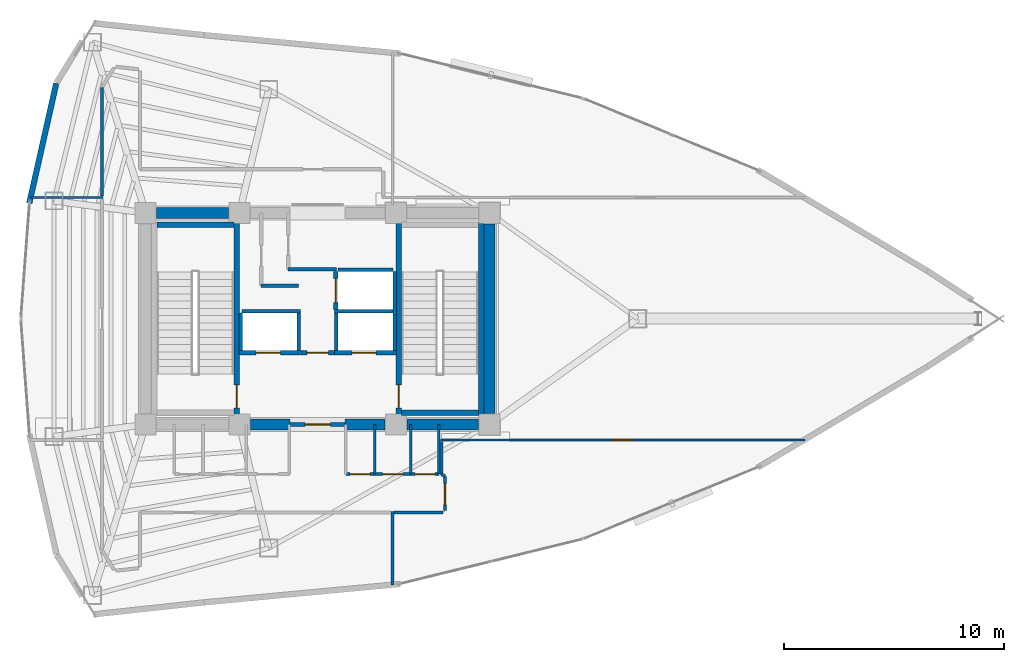
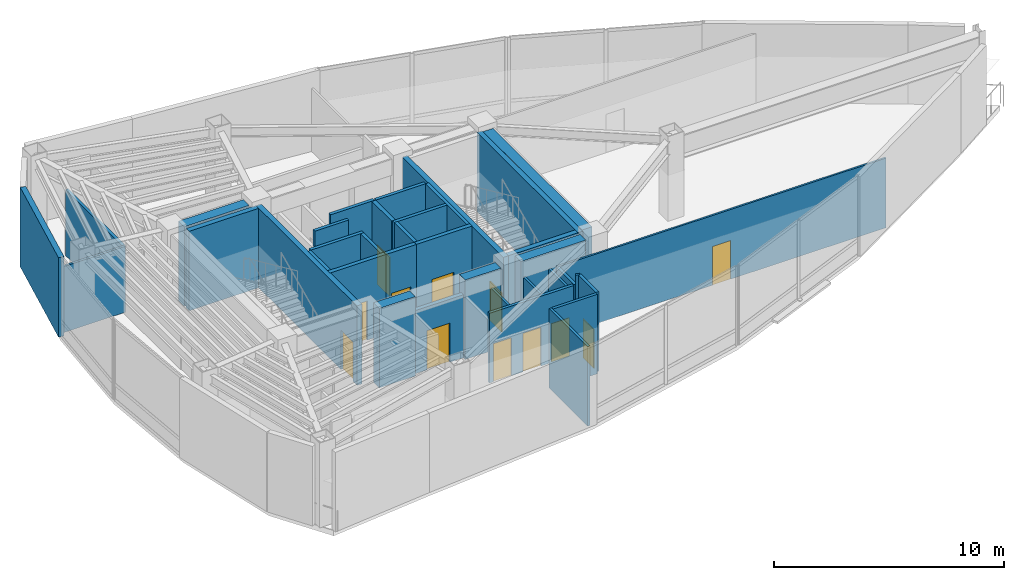
# One storey, part 14 of 17: 37 walls, 12 doors, 12 openings.
"""IFC4 building model written with IfcOpenShell, lengths in metres."""

from ifc_helpers import new_model, si_unit, direction, frame, frame_2d, origin, place, context, subcontext, project, spatial, rectangle, extrude, material, layer, layer_set, type_object, element, fill, save


model = new_model("IFC4")

# Units and contexts
model_context = context("Model", 3, precision=1e-05, world=origin(), true_north=direction((0.0, 1.0)))
body_context = subcontext(model_context, "Body", "Model", "MODEL_VIEW")
ifc_project = project(units=[si_unit("LENGTHUNIT", "METRE"), si_unit("AREAUNIT", "SQUARE_METRE"), si_unit("VOLUMEUNIT", "CUBIC_METRE"), si_unit("PLANEANGLEUNIT", "RADIAN"), si_unit("MASSUNIT", "GRAM", prefix="KILO")], contexts=[model_context])

# Site, building, storey
site_placement = place(None, origin())
site = spatial("IfcSite", under=ifc_project, at=site_placement, CompositionType="ELEMENT")
building_placement = place(site_placement, origin())
building = spatial("IfcBuilding", under=site, at=building_placement, Name="Menara Vayukalpa", CompositionType="ELEMENT")
storey_placement = place(building_placement, frame((0.0, 0.0, 238.139892578125)))
storey = spatial("IfcBuildingStorey", under=building, at=storey_placement, Name="L60", CompositionType="ELEMENT", Elevation=238.139892578125)

# Walls
ifc_material_1 = material(Name="Concrete C60/75", Category="concrete")
ifc_layer_1 = layer(ifc_material_1, 0.5)
ifc_layer_set_1 = layer_set([ifc_layer_1], Name="Concrete C60/75")
wall_type_1 = type_object("IfcWallType", Name="WAL-CW500", PredefinedType="SHEAR", material=ifc_layer_set_1)
wall_1_placement = place(storey_placement, frame((22.544921875, 17.199951171875, 0.0), z_axis=(0.0, 0.0, 1.0), x_axis=(1.0, 0.0, 0.0)))
element("IfcWall", 1, at=wall_1_placement, inside=storey, type_object=wall_type_1, Name="L60 Buttressed Core Shear Wall CWS2", PredefinedType="SHEAR", context=body_context, shape_type="SweptSolid", body=[
    extrude(rectangle(XDim=1.80517578125, YDim=0.5, at=frame_2d((0.902587890625, 0.0))), origin(), (0.0, 0.0, 1.0), 4.22021484375),
])
wall_2_placement = place(storey_placement, frame((26.85009765625, 17.199951171875, 0.0), z_axis=(0.0, 0.0, 1.0), x_axis=(1.0, 0.0, 0.0)))
element("IfcWall", 2, at=wall_2_placement, inside=storey, type_object=wall_type_1, Name="L60 Buttressed Core Shear Wall CWS3", PredefinedType="SHEAR", context=body_context, shape_type="SweptSolid", body=[
    extrude(rectangle(XDim=1.804931640625, YDim=0.5, at=frame_2d((0.90234375, 0.0))), origin(), (0.0, 0.0, 1.0), 4.22021484375),
])
for number, where, z_axis, x_axis, name in (
    (3, (29.64501953125, 17.199951171875, 0.0), (0.0, 0.0, 1.0), (1.0, 0.0, 0.0), "L60 Buttressed Core Shear Wall CWS4"),
    (4, (18.294921875, 26.800048828125, 0.0), (0.0, 0.0, 1.0), (1.0, 0.0, 0.0), "L60 Buttressed Core Shear Wall CWN1"),
):
    element("IfcWall", number, at=place(storey_placement, frame(where, z_axis=z_axis, x_axis=x_axis)), inside=storey, type_object=wall_type_1, Name=name, PredefinedType="SHEAR", context=body_context, shape_type="SweptSolid", body=[
        extrude(rectangle(XDim=3.260009765625, YDim=0.5, at=frame_2d((1.6298828125, 0.0))), origin(), (0.0, 0.0, 1.0), 4.22021484375),
    ])
wall_3_placement = place(storey_placement, frame((33.39990234375, 17.695068359375, 0.0), z_axis=(0.0, 0.0, 1.0), x_axis=(0.0, 1.0, 0.0)))
element("IfcWall", 5, at=wall_3_placement, inside=storey, type_object=wall_type_1, Name="L60 Buttressed Core Shear Wall CWE1", PredefinedType="SHEAR", context=body_context, shape_type="SweptSolid", body=[
    extrude(rectangle(XDim=8.60986328125, YDim=0.5, at=frame_2d((4.304931640625, 0.0))), origin(), (0.0, 0.0, 1.0), 4.22021484375),
])
ifc_material_2 = material(Name="Insulated Precast Concrete C40/50", Category="concrete")
ifc_layer_2 = layer(ifc_material_2, 0.260009765625)
ifc_layer_set_2 = layer_set([ifc_layer_2], Name="Insulated Precast Concrete C40/50")
wall_type_2 = type_object("IfcWallType", Name="WAL-EXT260", PredefinedType="PARTITIONING", material=ifc_layer_set_2)
wall_4_placement = place(storey_placement, frame((12.514892578125, 27.239501953125, 0.0), z_axis=(0.0, 0.0, 1.0), x_axis=(0.219510112872, 0.975610224601, 0.0)))
element("IfcWall", 6, at=wall_4_placement, inside=storey, type_object=wall_type_2, Name="L60 Perimeter Terracotta Pier Wall 09", PredefinedType="PARTITIONING", context=body_context, shape_type="SweptSolid", body=[
    extrude(rectangle(XDim=5.579833984375, YDim=0.260009765625, at=frame_2d((2.7900390625, 0.0))), origin(), (0.0, 0.0, 1.0), 4.22021484375),
])
ifc_material_3 = material(Name="Lightweight Concrete Blockwork C16/20", Category="masonry")
ifc_layer_3 = layer(ifc_material_3, 0.159912109375)
ifc_layer_set_3 = layer_set([ifc_layer_3], Name="Lightweight Concrete Blockwork C16/20")
wall_type_3 = type_object("IfcWallType", Name="WAL-FR150", PredefinedType="PARTITIONING", material=ifc_layer_set_3)
for number, where, z_axis, x_axis, name in (
    (7, (22.10498046875, 20.56005859375, 0.0), (0.0, 0.0, 1.0), (0.0, 1.0, 0.0), "L60 Interior Partition IW-L60-SHW-WW"),
    (8, (24.7548828125, 20.56005859375, 0.0), (0.0, 0.0, 1.0), (0.0, 1.0, 0.0), "L60 Interior Partition IW-L60-SHW-W1E"),
):
    element("IfcWall", number, at=place(storey_placement, frame(where, z_axis=z_axis, x_axis=x_axis)), inside=storey, type_object=wall_type_3, Name=name, PredefinedType="PARTITIONING", context=body_context, shape_type="SweptSolid", body=[
        extrude(rectangle(XDim=1.7099609375, YDim=0.159912109375, at=frame_2d((0.85498046875, 0.0))), origin(), (0.0, 0.0, 1.0), 4.22021484375),
    ])
wall_5_placement = place(storey_placement, frame((22.179931640625, 22.344970703125, 0.0), z_axis=(0.0, 0.0, 1.0), x_axis=(1.0, 0.0, 0.0)))
element("IfcWall", 9, at=wall_5_placement, inside=storey, type_object=wall_type_3, Name="L60 Interior Partition IW-L60-SHM-W12", PredefinedType="PARTITIONING", context=body_context, shape_type="SweptSolid", body=[
    extrude(rectangle(XDim=2.650146484375, YDim=0.159912109375, at=frame_2d((1.3251953125, 0.0))), origin(), (0.0, 0.0, 1.0), 4.22021484375),
])
wall_6_placement = place(storey_placement, frame((29.094970703125, 20.56005859375, 0.0), z_axis=(0.0, 0.0, 1.0), x_axis=(0.0, 1.0, 0.0)))
element("IfcWall", 10, at=wall_6_placement, inside=storey, type_object=wall_type_3, Name="L60 Interior Partition IW-L60-SHW-EE", PredefinedType="PARTITIONING", context=body_context, shape_type="SweptSolid", body=[
    extrude(rectangle(XDim=3.579833984375, YDim=0.159912109375, at=frame_2d((1.7900390625, 0.0))), origin(), (0.0, 0.0, 1.0), 4.22021484375),
])
wall_7_placement = place(storey_placement, frame((26.445068359375, 20.56005859375, 0.0), z_axis=(0.0, 0.0, 1.0), x_axis=(0.0, 1.0, 0.0)))
element("IfcWall", 11, at=wall_7_placement, inside=storey, type_object=wall_type_3, Name="L60 Interior Partition IW-L60-SHW-E1W", PredefinedType="PARTITIONING", context=body_context, shape_type="SweptSolid", body=[
    extrude(rectangle(XDim=1.7099609375, YDim=0.159912109375, at=frame_2d((0.85498046875, 0.0))), origin(), (0.0, 0.0, 1.0), 4.22021484375),
])
wall_8_placement = place(storey_placement, frame((26.3701171875, 22.344970703125, 0.0), z_axis=(0.0, 0.0, 1.0), x_axis=(1.0, 0.0, 0.0)))
element("IfcWall", 12, at=wall_8_placement, inside=storey, type_object=wall_type_3, Name="L60 Interior Partition IW-L60-SHM-E13", PredefinedType="PARTITIONING", context=body_context, shape_type="SweptSolid", body=[
    extrude(rectangle(XDim=2.64990234375, YDim=0.159912109375, at=frame_2d((1.324951171875, 0.0))), origin(), (0.0, 0.0, 1.0), 4.22021484375),
])
wall_9_placement = place(storey_placement, frame((26.530029296875, 24.215087890625, 0.0), z_axis=(0.0, 0.0, 1.0), x_axis=(1.0, 0.0, 0.0)))
element("IfcWall", 13, at=wall_9_placement, inside=storey, type_object=wall_type_3, Name="L60 Interior Partition IW-L60-SHM-E32", PredefinedType="PARTITIONING", context=body_context, shape_type="SweptSolid", body=[
    extrude(rectangle(XDim=2.489990234375, YDim=0.159912109375, at=frame_2d((1.2451171875, 0.0))), origin(), (0.0, 0.0, 1.0), 4.22021484375),
])
wall_10_placement = place(storey_placement, frame((23.0400390625, 23.5, 0.0), z_axis=(0.0, 0.0, 1.0), x_axis=(1.0, 0.0, 0.0)))
element("IfcWall", 14, at=wall_10_placement, inside=storey, type_object=wall_type_3, Name="L60 Interior Partition IW-L60-LV7WA", PredefinedType="PARTITIONING", context=body_context, shape_type="SweptSolid", body=[
    extrude(rectangle(XDim=1.699951171875, YDim=0.159912109375, at=frame_2d((0.85009765625, 0.0))), origin(), (0.0, 0.0, 1.0), 4.22021484375),
])
wall_11_placement = place(storey_placement, frame((24.260009765625, 24.239990234375, 0.0), z_axis=(0.0, 0.0, 1.0), x_axis=(1.0, 0.0, 0.0)))
element("IfcWall", 15, at=wall_11_placement, inside=storey, type_object=wall_type_3, Name="L60 Interior Partition IW-L60-LV7EA", PredefinedType="PARTITIONING", context=body_context, shape_type="SweptSolid", body=[
    extrude(rectangle(XDim=2.199951171875, YDim=0.159912109375, at=frame_2d((1.10009765625, 0.0))), origin(), (0.0, 0.0, 1.0), 4.22021484375),
])

# Wall, opening, door
ifc_material_4 = material(Name="Lightweight Concrete Blockwork C16/20", Category="masonry")
ifc_layer_4 = layer(ifc_material_4, 0.199951171875)
ifc_layer_set_4 = layer_set([ifc_layer_4], Name="Lightweight Concrete Blockwork C16/20")
wall_type_4 = type_object("IfcWallType", Name="WAL-FR200", PredefinedType="PARTITIONING", material=ifc_layer_set_4)
wall_12_placement = place(storey_placement, frame((24.35009765625, 17.199951171875, 0.0), z_axis=(0.0, 0.0, 1.0), x_axis=(1.0, 0.0, 0.0)))
wall_12 = element("IfcWall", 16, at=wall_12_placement, inside=storey, type_object=wall_type_4, Name="L60 Interior Partition IW-L60-FFLS", PredefinedType="PARTITIONING", context=body_context, shape_type="SweptSolid", body=[
    extrude(rectangle(XDim=2.5, YDim=0.199951171875, at=frame_2d((1.25, 0.0))), origin(), (0.0, 0.0, 1.0), 3.35009765625),
])
opening_1_placement = place(wall_12_placement, frame((0.679931640625, 0.0, 0.0)))
opening_1 = element("IfcOpeningElement", 17, at=opening_1_placement, cuts=wall_12, Name="Opening ID2", PredefinedType="OPENING", context=body_context, shape_type="SweptSolid", body=[
    extrude(rectangle(XDim=1.14990234375, YDim=2.080078125, at=frame_2d((0.574951171875, 1.0400390625))), frame((0.0, 0.10986328125, 0.0), z_axis=(0.0, -1.0, 0.0), x_axis=(1.0, 0.0, 0.0)), (0.0, 0.0, 1.0), 0.219970703125),
])
ifc_material_5 = material(Name="Fire-Rated Powder-Coated Steel Door", Category="steel")
door_type_1 = type_object("IfcDoorType", Name="DR-FD60W", OperationType="NOTDEFINED", PredefinedType="DOOR", material=ifc_material_5)
door_1_placement = place(opening_1_placement, origin())
door_1 = element("IfcDoor", 18, at=door_1_placement, inside=storey, type_object=door_type_1, Name="L60 Interior Door DR-L60-FFLS", OperationType="SINGLE_SWING_LEFT", OverallHeight=2.080078125, OverallWidth=1.14990234375, PredefinedType="DOOR", context=body_context, shape_type="SweptSolid", body=[
    extrude(rectangle(XDim=1.14990234375, YDim=2.080078125, at=frame_2d((0.574951171875, 1.0400390625))), frame((0.0, 0.02490234375, 0.0), z_axis=(0.0, -1.0, 0.0), x_axis=(1.0, 0.0, 0.0)), (0.0, 0.0, 1.0), 0.050048828125),
])
fill(opening_1, door_1)

wall_13_placement = place(storey_placement, frame((24.840087890625, 20.449951171875, 0.0), z_axis=(0.0, 0.0, 1.0), x_axis=(1.0, 0.0, 0.0)))
wall_13 = element("IfcWall", 19, at=wall_13_placement, inside=storey, type_object=wall_type_4, Name="L60 Interior Partition IW-L60-FFLN", PredefinedType="PARTITIONING", context=body_context, shape_type="SweptSolid", body=[
    extrude(rectangle(XDim=1.52001953125, YDim=0.199951171875, at=frame_2d((0.760009765625, 0.0))), origin(), (0.0, 0.0, 1.0), 4.22021484375),
])
opening_2_placement = place(wall_13_placement, frame((0.27001953125, 0.0, 0.0)))
opening_2 = element("IfcOpeningElement", 20, at=opening_2_placement, cuts=wall_13, Name="Opening ID3", PredefinedType="OPENING", context=body_context, shape_type="SweptSolid", body=[
    extrude(rectangle(XDim=0.97998046875, YDim=2.06005859375, at=frame_2d((0.489990234375, 1.030029296875))), frame((0.0, 0.10986328125, 0.0), z_axis=(0.0, -1.0, 0.0), x_axis=(1.0, 0.0, 0.0)), (0.0, 0.0, 1.0), 0.219970703125),
])
ifc_material_6 = material(Name="Fire-Rated Powder-Coated Steel Door", Category="steel")
door_type_2 = type_object("IfcDoorType", Name="DR-FD60", OperationType="NOTDEFINED", PredefinedType="DOOR", material=ifc_material_6)
door_2_placement = place(opening_2_placement, origin())
door_2 = element("IfcDoor", 21, at=door_2_placement, inside=storey, type_object=door_type_2, Name="L60 Interior Door DR-L60-FFLN", OperationType="SINGLE_SWING_RIGHT", OverallHeight=2.06005859375, OverallWidth=0.97998046875, PredefinedType="DOOR", context=body_context, shape_type="SweptSolid", body=[
    extrude(rectangle(XDim=0.97998046875, YDim=2.06005859375, at=frame_2d((0.489990234375, 1.030029296875))), frame((0.0, 0.02490234375, 0.0), z_axis=(0.0, -1.0, 0.0), x_axis=(1.0, 0.0, 0.0)), (0.0, 0.0, 1.0), 0.050048828125),
])
fill(opening_2, door_2)

wall_14_placement = place(storey_placement, frame((22.030029296875, 20.449951171875, 0.0), z_axis=(0.0, 0.0, 1.0), x_axis=(1.0, 0.0, 0.0)))
wall_14 = element("IfcWall", 22, at=wall_14_placement, inside=storey, type_object=wall_type_4, Name="L60 Interior Partition IW-L60-SH-W1", PredefinedType="PARTITIONING", context=body_context, shape_type="SweptSolid", body=[
    extrude(rectangle(XDim=2.800048828125, YDim=0.199951171875, at=frame_2d((1.39990234375, 0.0))), origin(), (0.0, 0.0, 1.0), 4.22021484375),
])
opening_3_placement = place(wall_14_placement, frame((0.780029296875, 0.0, 0.0)))
opening_3 = element("IfcOpeningElement", 23, at=opening_3_placement, cuts=wall_14, Name="Opening LD1", PredefinedType="OPENING", context=body_context, shape_type="SweptSolid", body=[
    extrude(rectangle(XDim=1.10009765625, YDim=2.080078125, at=frame_2d((0.550048828125, 1.0400390625))), frame((0.0, 0.10986328125, 0.0), z_axis=(0.0, -1.0, 0.0), x_axis=(1.0, 0.0, 0.0)), (0.0, 0.0, 1.0), 0.219970703125),
])
ifc_material_7 = material(Name="Brushed Stainless Steel 316 Lift Door", Category="steel")
door_type_3 = type_object("IfcDoorType", Name="DR-LD110", OperationType="NOTDEFINED", PredefinedType="DOOR", material=ifc_material_7)
door_3_placement = place(opening_3_placement, origin())
door_3 = element("IfcDoor", 24, at=door_3_placement, inside=storey, type_object=door_type_3, Name="L60 Interior Door DR-L60-LD-W1", OperationType="DOUBLE_DOOR_SLIDING", OverallHeight=2.080078125, OverallWidth=1.10009765625, PredefinedType="DOOR", context=body_context, shape_type="SweptSolid", body=[
    extrude(rectangle(XDim=1.10009765625, YDim=2.080078125, at=frame_2d((0.550048828125, 1.0400390625))), frame((0.0, 0.02490234375, 0.0), z_axis=(0.0, -1.0, 0.0), x_axis=(1.0, 0.0, 0.0)), (0.0, 0.0, 1.0), 0.050048828125),
])
fill(opening_3, door_3)

wall_15_placement = place(storey_placement, frame((26.3701171875, 20.449951171875, 0.0), z_axis=(0.0, 0.0, 1.0), x_axis=(1.0, 0.0, 0.0)))
wall_15 = element("IfcWall", 25, at=wall_15_placement, inside=storey, type_object=wall_type_4, Name="L60 Interior Partition IW-L60-SH-E1", PredefinedType="PARTITIONING", context=body_context, shape_type="SweptSolid", body=[
    extrude(rectangle(XDim=2.7998046875, YDim=0.199951171875, at=frame_2d((1.39990234375, 0.0))), origin(), (0.0, 0.0, 1.0), 4.22021484375),
])
opening_4_placement = place(wall_15_placement, frame((0.780029296875, 0.0, 0.0)))
opening_4 = element("IfcOpeningElement", 26, at=opening_4_placement, cuts=wall_15, Name="Opening LD1", PredefinedType="OPENING", context=body_context, shape_type="SweptSolid", body=[
    extrude(rectangle(XDim=1.10009765625, YDim=2.080078125, at=frame_2d((0.550048828125, 1.0400390625))), frame((0.0, 0.10986328125, 0.0), z_axis=(0.0, -1.0, 0.0), x_axis=(1.0, 0.0, 0.0)), (0.0, 0.0, 1.0), 0.219970703125),
])
door_4_placement = place(opening_4_placement, origin())
door_4 = element("IfcDoor", 27, at=door_4_placement, inside=storey, type_object=door_type_3, Name="L60 Interior Door DR-L60-LD-E1", OperationType="DOUBLE_DOOR_SLIDING", OverallHeight=2.080078125, OverallWidth=1.10009765625, PredefinedType="DOOR", context=body_context, shape_type="SweptSolid", body=[
    extrude(rectangle(XDim=1.10009765625, YDim=2.080078125, at=frame_2d((0.550048828125, 1.0400390625))), frame((0.0, 0.02490234375, 0.0), z_axis=(0.0, -1.0, 0.0), x_axis=(1.0, 0.0, 0.0)), (0.0, 0.0, 1.0), 0.050048828125),
])
fill(opening_4, door_4)

wall_16_placement = place(storey_placement, frame((26.419921875, 22.419921875, 0.0), z_axis=(0.0, 0.0, 1.0), x_axis=(0.0, 1.0, 0.0)))
wall_16 = element("IfcWall", 28, at=wall_16_placement, inside=storey, type_object=wall_type_4, Name="L60 Interior Partition IW-L60-SH-E3", PredefinedType="PARTITIONING", context=body_context, shape_type="SweptSolid", body=[
    extrude(rectangle(XDim=1.719970703125, YDim=0.199951171875, at=frame_2d((0.85986328125, 0.0))), origin(), (0.0, 0.0, 1.0), 4.22021484375),
])
opening_5_placement = place(wall_16_placement, frame((0.31005859375, 0.0, 0.0)))
opening_5 = element("IfcOpeningElement", 29, at=opening_5_placement, cuts=wall_16, Name="Opening LD1", PredefinedType="OPENING", context=body_context, shape_type="SweptSolid", body=[
    extrude(rectangle(XDim=1.10009765625, YDim=2.080078125, at=frame_2d((0.550048828125, 1.0400390625))), frame((0.0, 0.10986328125, 0.0), z_axis=(0.0, -1.0, 0.0), x_axis=(1.0, 0.0, 0.0)), (0.0, 0.0, 1.0), 0.219970703125),
])
door_5_placement = place(opening_5_placement, origin())
door_5 = element("IfcDoor", 30, at=door_5_placement, inside=storey, type_object=door_type_3, Name="L60 Interior Door DR-L60-LD-E3", OperationType="DOUBLE_DOOR_SLIDING", OverallHeight=2.080078125, OverallWidth=1.10009765625, PredefinedType="DOOR", context=body_context, shape_type="SweptSolid", body=[
    extrude(rectangle(XDim=1.10009765625, YDim=2.080078125, at=frame_2d((0.550048828125, 1.0400390625))), frame((0.0, 0.02490234375, 0.0), z_axis=(0.0, -1.0, 0.0), x_axis=(1.0, 0.0, 0.0)), (0.0, 0.0, 1.0), 0.050048828125),
])
fill(opening_5, door_5)

ifc_material_8 = material(Name="Glazed Demountable Office Partition", Category="glass")
ifc_layer_5 = layer(ifc_material_8, 0.094970703125)
ifc_layer_set_5 = layer_set([ifc_layer_5], Name="Glazed Demountable Office Partition")
wall_type_5 = type_object("IfcWallType", Name="WAL-PT100", PredefinedType="PARTITIONING", material=ifc_layer_set_5)
wall_17_placement = place(storey_placement, frame((31.169921875, 16.5, 0.0), z_axis=(0.0, 0.0, 1.0), x_axis=(1.0, 0.0, 0.0)))
wall_17 = element("IfcWall", 31, at=wall_17_placement, inside=storey, type_object=wall_type_5, Name="L60 Interior Partition IW-L60-RDIV04", PredefinedType="PARTITIONING", context=body_context, shape_type="SweptSolid", body=[
    extrude(rectangle(XDim=16.5341796875, YDim=0.094970703125, at=frame_2d((8.26708984375, 0.0))), origin(), (0.0, 0.0, 1.0), 3.7001953125),
])
opening_6_placement = place(wall_17_placement, frame((7.80712890625, 0.0, 0.0)))
opening_6 = element("IfcOpeningElement", 32, at=opening_6_placement, cuts=wall_17, Name="Opening ID6", PredefinedType="OPENING", context=body_context, shape_type="SweptSolid", body=[
    extrude(rectangle(XDim=0.919921875, YDim=2.050048828125, at=frame_2d((0.4599609375, 1.02490234375))), frame((0.0, 0.057373046875, 0.0), z_axis=(0.0, -1.0, 0.0), x_axis=(1.0, 0.0, 0.0)), (0.0, 0.0, 1.0), 0.114990234375),
])
ifc_material_9 = material(Name="Acoustic Hardwood Veneer Timber Door", Category="wood")
door_type_4 = type_object("IfcDoorType", Name="DR-INT92", OperationType="NOTDEFINED", PredefinedType="DOOR", material=ifc_material_9)
door_6_placement = place(opening_6_placement, origin())
door_6 = element("IfcDoor", 33, at=door_6_placement, inside=storey, type_object=door_type_4, Name="L60 Interior Door DR-L60-STE04", OperationType="SINGLE_SWING_LEFT", OverallHeight=2.050048828125, OverallWidth=0.919921875, PredefinedType="DOOR", context=body_context, shape_type="SweptSolid", body=[
    extrude(rectangle(XDim=0.919921875, YDim=2.050048828125, at=frame_2d((0.4599609375, 1.02490234375))), frame((0.0, 0.02490234375, 0.0), z_axis=(0.0, -1.0, 0.0), x_axis=(1.0, 0.0, 0.0)), (0.0, 0.0, 1.0), 0.050048828125),
])
fill(opening_6, door_6)

# Walls
ifc_material_10 = material(Name="Acoustic Mineral Stud Partition", Category="masonry")
ifc_layer_6 = layer(ifc_material_10, 0.110107421875)
ifc_layer_set_6 = layer_set([ifc_layer_6], Name="Acoustic Mineral Stud Partition")
wall_type_6 = type_object("IfcWallType", Name="WAL-PT110", PredefinedType="PARTITIONING", material=ifc_layer_set_6)
wall_18_placement = place(storey_placement, frame((29.830078125, 14.949951171875, 0.0), z_axis=(0.0, 0.0, 1.0), x_axis=(0.0, 1.0, 0.0)))
element("IfcWall", 34, at=wall_18_placement, inside=storey, type_object=wall_type_6, Name="L60 Interior Partition IW-L60-SVCD-07", PredefinedType="PARTITIONING", context=body_context, shape_type="SweptSolid", body=[
    extrude(rectangle(XDim=2.25, YDim=0.110107421875, at=frame_2d((1.125, 0.0))), origin(), (0.0, 0.0, 1.0), 3.35009765625),
])
wall_19_placement = place(storey_placement, frame((12.563232421875, 27.5, 0.0), z_axis=(0.0, 0.0, 1.0), x_axis=(1.0, 0.0, 0.0)))
element("IfcWall", 35, at=wall_19_placement, inside=storey, type_object=wall_type_6, Name="L60 Interior Partition IW-L60-RDIV05", PredefinedType="PARTITIONING", context=body_context, shape_type="SweptSolid", body=[
    extrude(rectangle(XDim=3.306884765625, YDim=0.110107421875, at=frame_2d((1.6533203125, 0.0))), origin(), (0.0, 0.0, 1.0), 3.5),
])
ifc_material_11 = material(Name="Gypsum Drywall Steel Stud Assembly", Category="steel")
ifc_layer_7 = layer(ifc_material_11, 0.125)
ifc_layer_set_7 = layer_set([ifc_layer_7], Name="Gypsum Drywall Steel Stud Assembly")
wall_type_7 = type_object("IfcWallType", Name="WAL-PT125", PredefinedType="PARTITIONING", material=ifc_layer_set_7)
for number, where, z_axis, x_axis, name in (
    (36, (28.18994140625, 14.949951171875, 0.0), (0.0, 0.0, 1.0), (0.0, 1.0, 0.0), "L60 Interior Partition IW-L60-SVCD-06"),
    (37, (31.10009765625, 14.949951171875, 0.0), (0.0, 0.0, 1.0), (0.0, 1.0, 0.0), "L60 Interior Partition IW-L60-SVCD-08"),
):
    element("IfcWall", number, at=place(storey_placement, frame(where, z_axis=z_axis, x_axis=x_axis)), inside=storey, type_object=wall_type_7, Name=name, PredefinedType="PARTITIONING", context=body_context, shape_type="SweptSolid", body=[
        extrude(rectangle(XDim=2.25, YDim=0.125, at=frame_2d((1.125, 0.0))), origin(), (0.0, 0.0, 1.0), 3.35009765625),
    ])
wall_20_placement = place(storey_placement, frame((29.0, 9.91650390625, 0.0), z_axis=(0.0, 0.0, 1.0), x_axis=(0.0, 1.0, 0.0)))
element("IfcWall", 38, at=wall_20_placement, inside=storey, type_object=wall_type_7, Name="L60 Interior Partition IW-L60-RDIV01", PredefinedType="PARTITIONING", context=body_context, shape_type="SweptSolid", body=[
    extrude(rectangle(XDim=3.343505859375, YDim=0.125, at=frame_2d((1.671875, 0.0))), origin(), (0.0, 0.0, 1.0), 4.22021484375),
])

# Wall, openings, doors
ifc_material_12 = material(Name="Gypsum Drywall Acoustic Stud Assembly", Category="masonry")
ifc_layer_8 = layer(ifc_material_12, 0.14501953125)
ifc_layer_set_8 = layer_set([ifc_layer_8], Name="Gypsum Drywall Acoustic Stud Assembly")
wall_type_8 = type_object("IfcWallType", Name="WAL-PT150", PredefinedType="PARTITIONING", material=ifc_layer_set_8)
wall_21_placement = place(storey_placement, frame((26.8798828125, 14.949951171875, 0.0), z_axis=(0.0, 0.0, 1.0), x_axis=(1.0, 0.0, 0.0)))
wall_21 = element("IfcWall", 39, at=wall_21_placement, inside=storey, type_object=wall_type_8, Name="L60 Interior Partition IW-L60-SVCS-E", PredefinedType="PARTITIONING", context=body_context, shape_type="SweptSolid", body=[
    extrude(rectangle(XDim=4.22021484375, YDim=0.14501953125, at=frame_2d((2.110107421875, 0.0))), origin(), (0.0, 0.0, 1.0), 3.7001953125),
])
opening_7_placement = place(wall_21_placement, frame((0.199951171875, 0.0, 0.0)))
opening_7 = element("IfcOpeningElement", 40, at=opening_7_placement, cuts=wall_21, Name="Opening ID7", PredefinedType="OPENING", context=body_context, shape_type="SweptSolid", body=[
    extrude(rectangle(XDim=0.89990234375, YDim=2.02001953125, at=frame_2d((0.449951171875, 1.010009765625))), frame((0.0, 0.08251953125, 0.0), z_axis=(0.0, -1.0, 0.0), x_axis=(1.0, 0.0, 0.0)), (0.0, 0.0, 1.0), 0.1650390625),
])
opening_8_placement = place(wall_21_placement, frame((1.669921875, 0.0, 0.0)))
opening_8 = element("IfcOpeningElement", 41, at=opening_8_placement, cuts=wall_21, Name="Opening ID6", PredefinedType="OPENING", context=body_context, shape_type="SweptSolid", body=[
    extrude(rectangle(XDim=0.919921875, YDim=2.050048828125, at=frame_2d((0.4599609375, 1.02490234375))), frame((0.0, 0.08251953125, 0.0), z_axis=(0.0, -1.0, 0.0), x_axis=(1.0, 0.0, 0.0)), (0.0, 0.0, 1.0), 0.1650390625),
])
opening_9_placement = place(wall_21_placement, frame((3.139892578125, 0.0, 0.0)))
opening_9 = element("IfcOpeningElement", 42, at=opening_9_placement, cuts=wall_21, Name="Opening ID7", PredefinedType="OPENING", context=body_context, shape_type="SweptSolid", body=[
    extrude(rectangle(XDim=0.89990234375, YDim=2.02001953125, at=frame_2d((0.449951171875, 1.010009765625))), frame((0.0, 0.08251953125, 0.0), z_axis=(0.0, -1.0, 0.0), x_axis=(1.0, 0.0, 0.0)), (0.0, 0.0, 1.0), 0.1650390625),
])
door_7_placement = place(opening_8_placement, origin())
door_7 = element("IfcDoor", 43, at=door_7_placement, inside=storey, type_object=door_type_4, Name="L60 Interior Door DR-L60-KSV2", OperationType="SINGLE_SWING_LEFT", OverallHeight=2.050048828125, OverallWidth=0.919921875, PredefinedType="DOOR", context=body_context, shape_type="SweptSolid", body=[
    extrude(rectangle(XDim=0.919921875, YDim=2.050048828125, at=frame_2d((0.4599609375, 1.02490234375))), frame((0.0, 0.02490234375, 0.0), z_axis=(0.0, -1.0, 0.0), x_axis=(1.0, 0.0, 0.0)), (0.0, 0.0, 1.0), 0.050048828125),
])
fill(opening_8, door_7)
ifc_material_13 = material(Name="Powder-Coated Steel Riser Access Door", Category="steel")
door_type_5 = type_object("IfcDoorType", Name="DR-RISER", OperationType="NOTDEFINED", PredefinedType="DOOR", material=ifc_material_13)
door_8_placement = place(opening_7_placement, origin())
door_8 = element("IfcDoor", 44, at=door_8_placement, inside=storey, type_object=door_type_5, Name="L60 Interior Door DR-L60-KSV1", OperationType="SINGLE_SWING_RIGHT", OverallHeight=2.02001953125, OverallWidth=0.89990234375, PredefinedType="DOOR", context=body_context, shape_type="SweptSolid", body=[
    extrude(rectangle(XDim=0.89990234375, YDim=2.02001953125, at=frame_2d((0.449951171875, 1.010009765625))), frame((0.0, 0.02490234375, 0.0), z_axis=(0.0, -1.0, 0.0), x_axis=(1.0, 0.0, 0.0)), (0.0, 0.0, 1.0), 0.050048828125),
])
fill(opening_7, door_8)
door_9_placement = place(opening_9_placement, origin())
door_9 = element("IfcDoor", 45, at=door_9_placement, inside=storey, type_object=door_type_5, Name="L60 Interior Door DR-L60-SMD", OperationType="SINGLE_SWING_RIGHT", OverallHeight=2.02001953125, OverallWidth=0.89990234375, PredefinedType="DOOR", context=body_context, shape_type="SweptSolid", body=[
    extrude(rectangle(XDim=0.89990234375, YDim=2.02001953125, at=frame_2d((0.449951171875, 1.010009765625))), frame((0.0, 0.02490234375, 0.0), z_axis=(0.0, -1.0, 0.0), x_axis=(1.0, 0.0, 0.0)), (0.0, 0.0, 1.0), 0.050048828125),
])
fill(opening_9, door_9)

# Wall
wall_22_placement = place(storey_placement, frame((29.070068359375, 13.2099609375, 0.0), z_axis=(0.0, 0.0, 1.0), x_axis=(1.0, 0.0, 0.0)))
element("IfcWall", 46, at=wall_22_placement, inside=storey, type_object=wall_type_8, Name="L60 Interior Partition IW-L60-CRM03-1", PredefinedType="PARTITIONING", context=body_context, shape_type="SweptSolid", body=[
    extrude(rectangle(XDim=2.22998046875, YDim=0.14501953125, at=frame_2d((1.114990234375, 0.0))), origin(), (0.0, 0.0, 1.0), 4.22021484375),
])

# Wall, opening, door
wall_23_placement = place(storey_placement, frame((31.3798828125, 13.2900390625, 0.0), z_axis=(0.0, 0.0, 1.0), x_axis=(0.0, 1.0, 0.0)))
wall_23 = element("IfcWall", 47, at=wall_23_placement, inside=storey, type_object=wall_type_8, Name="L60 Interior Partition IW-L60-CRM03-2", PredefinedType="PARTITIONING", context=body_context, shape_type="SweptSolid", body=[
    extrude(rectangle(XDim=1.56005859375, YDim=0.14501953125, at=frame_2d((0.780029296875, 0.0))), origin(), (0.0, 0.0, 1.0), 4.22021484375),
])
opening_10_placement = place(wall_23_placement, frame((0.280029296875, 0.0, 0.0)))
opening_10 = element("IfcOpeningElement", 48, at=opening_10_placement, cuts=wall_23, Name="Opening ID5", PredefinedType="OPENING", context=body_context, shape_type="SweptSolid", body=[
    extrude(rectangle(XDim=0.949951171875, YDim=2.06005859375, at=frame_2d((0.47509765625, 1.030029296875))), frame((0.0, 0.08251953125, 0.0), z_axis=(0.0, -1.0, 0.0), x_axis=(1.0, 0.0, 0.0)), (0.0, 0.0, 1.0), 0.1650390625),
])
ifc_material_14 = material(Name="Acoustic Hardwood Veneer Timber Door", Category="wood")
door_type_6 = type_object("IfcDoorType", Name="DR-INT95", OperationType="NOTDEFINED", PredefinedType="DOOR", material=ifc_material_14)
door_10_placement = place(opening_10_placement, origin())
door_10 = element("IfcDoor", 49, at=door_10_placement, inside=storey, type_object=door_type_6, Name="L60 Interior Door DR-L60-RM03", OperationType="SINGLE_SWING_RIGHT", OverallHeight=2.06005859375, OverallWidth=0.949951171875, PredefinedType="DOOR", context=body_context, shape_type="SweptSolid", body=[
    extrude(rectangle(XDim=0.949951171875, YDim=2.06005859375, at=frame_2d((0.47509765625, 1.030029296875))), frame((0.0, 0.02490234375, 0.0), z_axis=(0.0, -1.0, 0.0), x_axis=(1.0, 0.0, 0.0)), (0.0, 0.0, 1.0), 0.050048828125),
])
fill(opening_10, door_10)

# Walls
wall_24_placement = place(storey_placement, frame((31.219970703125, 14.929931640625, 0.0), z_axis=(0.0, 0.0, 1.0), x_axis=(0.0, 1.0, 0.0)))
element("IfcWall", 50, at=wall_24_placement, inside=storey, type_object=wall_type_8, Name="L60 Interior Partition IW-L60-CRM03-3", PredefinedType="PARTITIONING", context=body_context, shape_type="SweptSolid", body=[
    extrude(rectangle(XDim=1.5, YDim=0.14501953125, at=frame_2d((0.75, 0.0))), origin(), (0.0, 0.0, 1.0), 3.7001953125),
])
wall_25_placement = place(storey_placement, frame((15.820068359375, 32.4814453125, 0.0), z_axis=(0.0, 0.0, 1.0), x_axis=(0.0, -1.0, 0.0)))
element("IfcWall", 51, at=wall_25_placement, inside=storey, type_object=wall_type_8, Name="L60 Interior Partition IW-L60-CRM06-6", PredefinedType="PARTITIONING", context=body_context, shape_type="SweptSolid", body=[
    extrude(rectangle(XDim=4.911376953125, YDim=0.14501953125, at=frame_2d((2.45556640625, 0.0))), origin(), (0.0, 0.0, 1.0), 3.5),
])
wall_26_placement = place(storey_placement, frame((31.3798828125, 14.85009765625, 0.0), z_axis=(0.0, 0.0, 1.0), x_axis=(-0.89470021502, 0.446667130247, 0.0)))
element("IfcWall", 52, at=wall_26_placement, inside=storey, type_object=wall_type_8, Name="L60 Interior Partition IW-L60-CRM03-2-R1", PredefinedType="PARTITIONING", context=body_context, shape_type="SweptSolid", body=[
    extrude(rectangle(XDim=0.1787109375, YDim=0.14501953125, at=frame_2d((0.08935546875, 0.0))), origin(), (0.0, 0.0, 1.0), 4.22021484375),
])

# Wall, opening, door
ifc_material_15 = material(Name="Concrete C50/60", Category="concrete")
ifc_layer_9 = layer(ifc_material_15, 0.25)
ifc_layer_set_9 = layer_set([ifc_layer_9], Name="Concrete C50/60")
wall_type_9 = type_object("IfcWallType", Name="WAL-SW250", PredefinedType="SHEAR", material=ifc_layer_set_9)
wall_27_placement = place(storey_placement, frame((21.925048828125, 17.60009765625, 0.0), z_axis=(0.0, 0.0, 1.0), x_axis=(0.0, 1.0, 0.0)))
wall_27 = element("IfcWall", 53, at=wall_27_placement, inside=storey, type_object=wall_type_9, Name="L60 ST1 Structural Stair Shaft Wall E", PredefinedType="SHEAR", context=body_context, shape_type="SweptSolid", body=[
    extrude(rectangle(XDim=8.7998046875, YDim=0.25, at=frame_2d((4.39990234375, 0.0))), origin(), (0.0, 0.0, 1.0), 4.22021484375),
])
opening_11_placement = place(wall_27_placement, frame((0.35009765625, 0.0, 0.0)))
opening_11 = element("IfcOpeningElement", 54, at=opening_11_placement, cuts=wall_27, Name="Opening ID1", PredefinedType="OPENING", context=body_context, shape_type="SweptSolid", body=[
    extrude(rectangle(XDim=1.050048828125, YDim=2.080078125, at=frame_2d((0.52490234375, 1.0400390625))), frame((0.0, 0.135009765625, 0.0), z_axis=(0.0, -1.0, 0.0), x_axis=(1.0, 0.0, 0.0)), (0.0, 0.0, 1.0), 0.27001953125),
])
ifc_material_16 = material(Name="Fire-Rated Powder-Coated Steel Door", Category="steel")
door_type_7 = type_object("IfcDoorType", Name="DR-FD120", OperationType="NOTDEFINED", PredefinedType="DOOR", material=ifc_material_16)
door_11_placement = place(opening_11_placement, origin())
door_11 = element("IfcDoor", 55, at=door_11_placement, inside=storey, type_object=door_type_7, Name="L60 Stair Exit Door DR-L60-ST1", OperationType="SINGLE_SWING_LEFT", OverallHeight=2.080078125, OverallWidth=1.050048828125, PredefinedType="DOOR", context=body_context, shape_type="SweptSolid", body=[
    extrude(rectangle(XDim=1.050048828125, YDim=2.080078125, at=frame_2d((0.52490234375, 1.0400390625))), frame((0.0, 0.02490234375, 0.0), z_axis=(0.0, -1.0, 0.0), x_axis=(1.0, 0.0, 0.0)), (0.0, 0.0, 1.0), 0.050048828125),
])
fill(opening_11, door_11)

# Wall
wall_28_placement = place(storey_placement, frame((18.303955078125, 26.27490234375, 0.0), z_axis=(0.0, 0.0, 1.0), x_axis=(1.0, 0.0, 0.0)))
element("IfcWall", 56, at=wall_28_placement, inside=storey, type_object=wall_type_9, Name="L60 ST1 Structural Stair Shaft Wall N", PredefinedType="SHEAR", context=body_context, shape_type="SweptSolid", body=[
    extrude(rectangle(XDim=3.49609375, YDim=0.25, at=frame_2d((1.748046875, 0.0))), origin(), (0.0, 0.0, 1.0), 4.22021484375),
])

# Wall, opening, door
wall_29_placement = place(storey_placement, frame((29.27490234375, 17.60009765625, 0.0), z_axis=(0.0, 0.0, 1.0), x_axis=(0.0, 1.0, 0.0)))
wall_29 = element("IfcWall", 57, at=wall_29_placement, inside=storey, type_object=wall_type_9, Name="L60 ST2 Structural Stair Shaft Wall W", PredefinedType="SHEAR", context=body_context, shape_type="SweptSolid", body=[
    extrude(rectangle(XDim=8.7998046875, YDim=0.25, at=frame_2d((4.39990234375, 0.0))), origin(), (0.0, 0.0, 1.0), 4.22021484375),
])
opening_12_placement = place(wall_29_placement, frame((0.35009765625, 0.0, 0.0)))
opening_12 = element("IfcOpeningElement", 58, at=opening_12_placement, cuts=wall_29, Name="Opening ID1", PredefinedType="OPENING", context=body_context, shape_type="SweptSolid", body=[
    extrude(rectangle(XDim=1.050048828125, YDim=2.080078125, at=frame_2d((0.52490234375, 1.0400390625))), frame((0.0, 0.135009765625, 0.0), z_axis=(0.0, -1.0, 0.0), x_axis=(1.0, 0.0, 0.0)), (0.0, 0.0, 1.0), 0.27001953125),
])
door_12_placement = place(opening_12_placement, origin())
door_12 = element("IfcDoor", 59, at=door_12_placement, inside=storey, type_object=door_type_7, Name="L60 Stair Exit Door DR-L60-ST2", OperationType="SINGLE_SWING_RIGHT", OverallHeight=2.080078125, OverallWidth=1.050048828125, PredefinedType="DOOR", context=body_context, shape_type="SweptSolid", body=[
    extrude(rectangle(XDim=1.050048828125, YDim=2.080078125, at=frame_2d((0.52490234375, 1.0400390625))), frame((0.0, 0.02490234375, 0.0), z_axis=(0.0, -1.0, 0.0), x_axis=(1.0, 0.0, 0.0)), (0.0, 0.0, 1.0), 0.050048828125),
])
fill(opening_12, door_12)

# Walls
wall_30_placement = place(storey_placement, frame((33.02099609375, 17.60009765625, 0.0), z_axis=(0.0, 0.0, 1.0), x_axis=(0.0, 1.0, 0.0)))
element("IfcWall", 60, at=wall_30_placement, inside=storey, type_object=wall_type_9, Name="L60 ST2 Structural Stair Shaft Wall E", PredefinedType="SHEAR", context=body_context, shape_type="SweptSolid", body=[
    extrude(rectangle(XDim=8.7998046875, YDim=0.25, at=frame_2d((4.39990234375, 0.0))), origin(), (0.0, 0.0, 1.0), 4.22021484375),
])
wall_31_placement = place(storey_placement, frame((29.39990234375, 17.72509765625, 0.0), z_axis=(0.0, 0.0, 1.0), x_axis=(1.0, 0.0, 0.0)))
element("IfcWall", 61, at=wall_31_placement, inside=storey, type_object=wall_type_9, Name="L60 ST2 Structural Stair Shaft Wall S", PredefinedType="SHEAR", context=body_context, shape_type="SweptSolid", body=[
    extrude(rectangle(XDim=3.49609375, YDim=0.25, at=frame_2d((1.748046875, 0.0))), origin(), (0.0, 0.0, 1.0), 4.22021484375),
])

save(model, "model.ifc")
